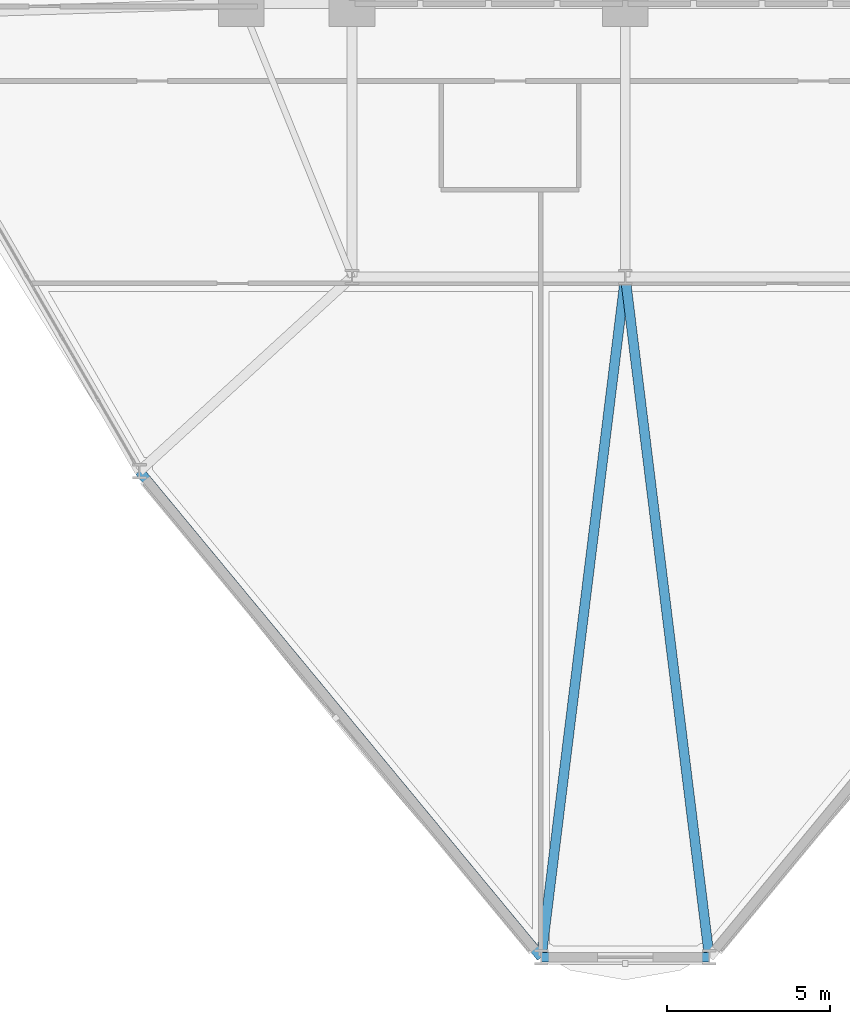
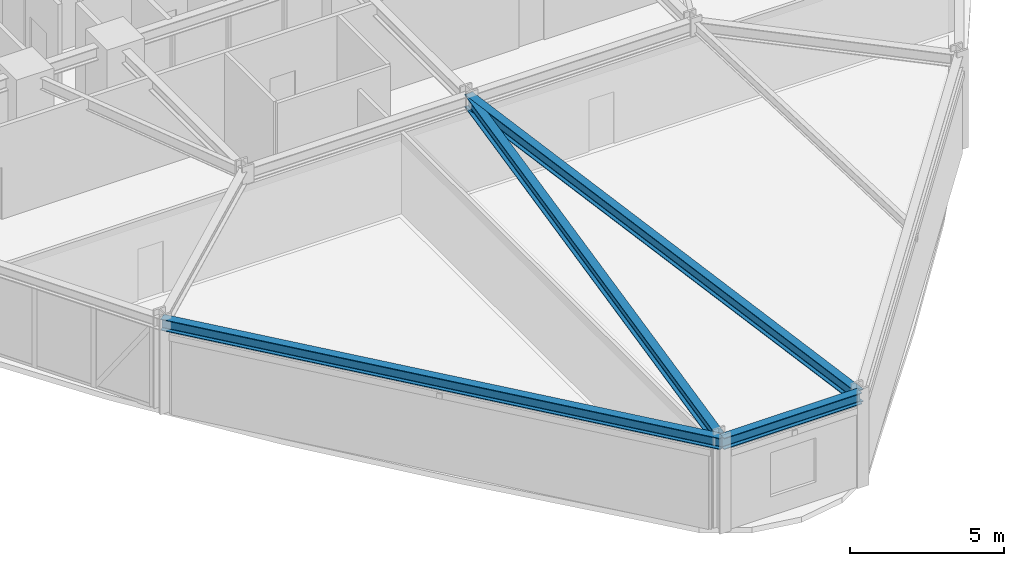
# One storey, part 3 of 23: 4 beams.
"""IFC4 building model written with IfcOpenShell, lengths in metres."""

from ifc_helpers import new_model, si_unit, derived_unit, direction, frame, origin, origin_2d, place, context, subcontext, project, spatial, i_section, extrude, source, transform, mapped, material, material_profile, profile_set, type_object, element, save


model = new_model("IFC4")

# Units and contexts
model_context = context("Model", 3, precision=1e-05, world=origin(), true_north=direction((0.0, 1.0)))
body_context = subcontext(model_context, "Body", "Model", "MODEL_VIEW")
ifc_project = project(units=[si_unit("LENGTHUNIT", "METRE"), si_unit("AREAUNIT", "SQUARE_METRE"), si_unit("VOLUMEUNIT", "CUBIC_METRE"), si_unit("PLANEANGLEUNIT", "RADIAN"), si_unit("MASSUNIT", "GRAM", prefix="KILO"), derived_unit("THERMALTRANSMITTANCEUNIT", [(si_unit("POWERUNIT", "WATT"), 1), (si_unit("LENGTHUNIT", "METRE"), -2), (si_unit("THERMODYNAMICTEMPERATUREUNIT", "KELVIN"), -1)])], contexts=[model_context])

# Site, building, storey
site_placement = place(None, origin())
site = spatial("IfcSite", under=ifc_project, at=site_placement, CompositionType="ELEMENT")
building_placement = place(site_placement, origin())
building = spatial("IfcBuilding", under=site, at=building_placement, Name="Korsvarv Bourse and Concert Hall", CompositionType="ELEMENT")
storey_placement = place(building_placement, frame((0.0, 0.0, 24.0)))
storey = spatial("IfcBuildingStorey", under=building, at=storey_placement, Name="L05", CompositionType="ELEMENT", Elevation=24.0)

# Beams
ifc_material = material(Name="Steel S355", Category="steel")
ifc_material_profile_1 = material_profile(ifc_material, i_section(OverallWidth=0.300048828125, OverallDepth=0.449951171875, WebThickness=0.013916015625, FlangeThickness=0.02587890625, FilletRadius=0.02099609375, at=origin_2d()), Name="HEB 450")
ifc_profile_set_1 = profile_set([ifc_material_profile_1], Name="Steel S355")
beam_type_1 = type_object("IfcBeamType", Name="BM-HEB450", PredefinedType="SPANDREL", material=ifc_profile_set_1)
shared_shape_1 = source(origin(), body_context, "Body", "SweptSolid", [
    extrude(i_section(OverallWidth=0.300048828125, OverallDepth=0.449951171875, WebThickness=0.013916015625, FlangeThickness=0.02587890625, FilletRadius=0.02099609375, at=origin_2d()), origin(), (0.0, 0.0, 1.0), 5.16357421875),
])
beam_1_placement = place(storey_placement, frame((33.418212890625, 3.09375, 3.455078125), z_axis=(1.0, 0.0, 0.0), x_axis=(0.0, 1.0, 0.0)))
element("IfcBeam", 1, at=beam_1_placement, inside=storey, type_object=beam_type_1, Name="L05 beam B-08", PredefinedType="SPANDREL", context=body_context, shape_type="MappedRepresentation", body=[
    mapped(shared_shape_1, transform((0.0, 0.0, 0.0), scale=1.0)),
])
shared_shape_2 = source(origin(), body_context, "Body", "SweptSolid", [
    extrude(i_section(OverallWidth=0.300048828125, OverallDepth=0.449951171875, WebThickness=0.013916015625, FlangeThickness=0.02587890625, FilletRadius=0.02099609375, at=origin_2d()), origin(), (0.0, 0.0, 1.0), 19.380126953125),
])
beam_2_placement = place(storey_placement, frame((21.06787109375, 18.02880859375, 3.455078125), z_axis=(0.637270402598, -0.770640275338, 0.0), x_axis=(0.770640275338, 0.637270402598, 0.0)))
element("IfcBeam", 2, at=beam_2_placement, inside=storey, type_object=beam_type_1, Name="L05 beam B-08", PredefinedType="SPANDREL", context=body_context, shape_type="MappedRepresentation", body=[
    mapped(shared_shape_2, transform((0.0, 0.0, 0.0), scale=1.0)),
])
ifc_material_profile_2 = material_profile(ifc_material, i_section(OverallWidth=0.300048828125, OverallDepth=0.5, WebThickness=0.014404296875, FlangeThickness=0.028076171875, FilletRadius=0.02392578125, at=origin_2d()), Name="HEB 500")
ifc_profile_set_2 = profile_set([ifc_material_profile_2], Name="Steel S355")
beam_type_2 = type_object("IfcBeamType", Name="BM-HEB500", PredefinedType="BEAM", material=ifc_profile_set_2)
shared_shape_3 = source(origin(), body_context, "Body", "SweptSolid", [
    extrude(i_section(OverallWidth=0.300048828125, OverallDepth=0.5, WebThickness=0.014404296875, FlangeThickness=0.028076171875, FilletRadius=0.02392578125, at=origin_2d()), origin(), (0.0, 0.0, 1.0), 21.065185546875),
])
for number, where, z_axis, x_axis, name in (
    (3, (33.418212890625, 3.09375, 3.429931640625), (0.122562510678, 0.992460795687, 0.0), (-0.992460795687, 0.122562510678, 0.0), "L05 beam B-07"),
    (4, (38.581787109375, 3.09375, 3.429931640625), (-0.122562510678, 0.992460795687, 0.0), (-0.992460795687, -0.122562510678, 0.0), "L05 beam B-07"),
):
    element("IfcBeam", number, at=place(storey_placement, frame(where, z_axis=z_axis, x_axis=x_axis)), inside=storey, type_object=beam_type_2, Name=name, PredefinedType="BEAM", context=body_context, shape_type="MappedRepresentation", body=[
        mapped(shared_shape_3, transform((0.0, 0.0, 0.0), scale=1.0)),
    ])

save(model, "model.ifc")
